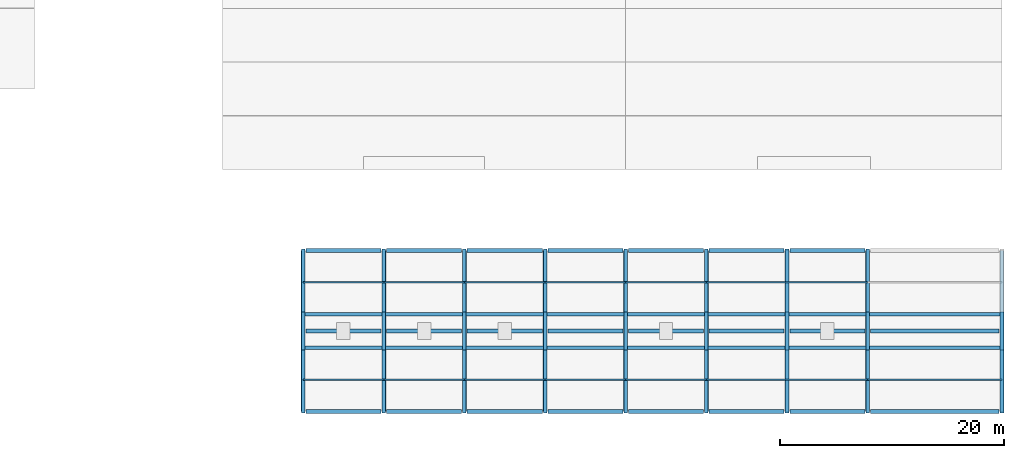
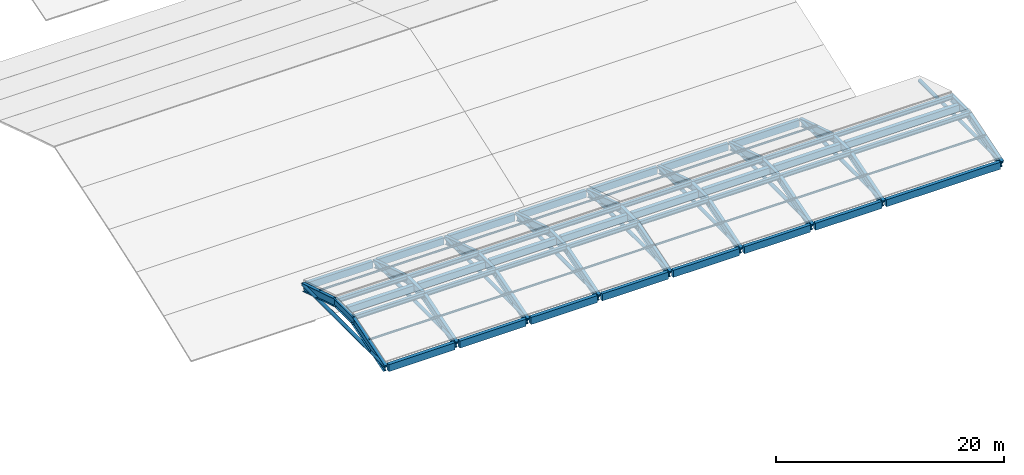
# One storey, part 1 of 7: 65 beams, 24 members.
"""IFC4 building model written with IfcOpenShell, lengths in metres."""

from ifc_helpers import new_model, si_unit, direction, frame, origin, origin_2d, place, context, subcontext, project, spatial, rectangle, hollow_circle, i_section, extrude, material, material_profile, profile_set, type_object, element, save


model = new_model("IFC4")

# Units and contexts
model_context = context("Model", 3, precision=1e-05, world=origin(), true_north=direction((0.0, 1.0)))
body_context = subcontext(model_context, "Body", "Model", "MODEL_VIEW")
ifc_project = project(units=[si_unit("LENGTHUNIT", "METRE"), si_unit("AREAUNIT", "SQUARE_METRE"), si_unit("VOLUMEUNIT", "CUBIC_METRE"), si_unit("PLANEANGLEUNIT", "RADIAN"), si_unit("MASSUNIT", "GRAM", prefix="KILO")], contexts=[model_context])

# Site, building, storey
site_placement = place(None, origin())
site = spatial("IfcSite", under=ifc_project, at=site_placement, CompositionType="ELEMENT")
building_placement = place(site_placement, origin())
building = spatial("IfcBuilding", under=site, at=building_placement, Name="Cendralis Lancet Convention Centre", CompositionType="ELEMENT")
storey_placement = place(building_placement, frame((0.0, 0.0, 29.39990234375)))
storey = spatial("IfcBuildingStorey", under=building, at=storey_placement, Name="RF", CompositionType="ELEMENT", Elevation=29.39990234375)

# Beams
ifc_material_1 = material(Name="Concrete G35 (C35/45)", Category="concrete")
ifc_material_profile_1 = material_profile(ifc_material_1, rectangle(XDim=0.39990234375, YDim=0.699951171875, at=origin_2d()), Name="RCB 400x700")
ifc_profile_set_1 = profile_set([ifc_material_profile_1], Name="Concrete G35 (C35/45)")
beam_type_1 = type_object("IfcBeamType", Name="STR-BM-BG13", PredefinedType="BEAM", material=ifc_profile_set_1)
beam_1_placement = place(storey_placement, frame((146.64990234375, 28.800048828125, 0.530029296875), z_axis=(1.0, 0.0, 0.0), x_axis=(0.0, 1.0, 0.0)))
element("IfcBeam", 1, at=beam_1_placement, inside=storey, type_object=beam_type_1, Name="RF Beam BG13 #1834", PredefinedType="BEAM", context=body_context, shape_type="SweptSolid", body=[
    extrude(rectangle(XDim=0.39990234375, YDim=0.699951171875, at=origin_2d()), origin(), (0.0, 0.0, 1.0), 6.7001953125),
])
for number, where, z_axis, x_axis, name in (
    (2, (153.85009765625, 28.800048828125, 0.530029296875), (1.0, 0.0, 0.0), (0.0, 1.0, 0.0), "RF Beam BG13 #1837"),
    (3, (161.050048828125, 28.800048828125, 0.530029296875), (1.0, 0.0, 0.0), (0.0, 1.0, 0.0), "RF Beam BG13 #1840"),
    (4, (168.25, 28.800048828125, 0.530029296875), (1.0, 0.0, 0.0), (0.0, 1.0, 0.0), "RF Beam BG13 #1843"),
    (5, (175.449951171875, 28.800048828125, 0.530029296875), (1.0, 0.0, 0.0), (0.0, 1.0, 0.0), "RF Beam BG13 #1846"),
):
    element("IfcBeam", number, at=place(storey_placement, frame(where, z_axis=z_axis, x_axis=x_axis)), inside=storey, type_object=beam_type_1, Name=name, PredefinedType="BEAM", context=body_context, shape_type="SweptSolid", body=[
        extrude(rectangle(XDim=0.39990234375, YDim=0.699951171875, at=origin_2d()), origin(), (0.0, 0.0, 1.0), 6.699951171875),
    ])
beam_2_placement = place(storey_placement, frame((182.64990234375, 28.800048828125, 0.530029296875), z_axis=(1.0, 0.0, 0.0), x_axis=(0.0, 1.0, 0.0)))
element("IfcBeam", 6, at=beam_2_placement, inside=storey, type_object=beam_type_1, Name="RF Beam BG13 #1849", PredefinedType="BEAM", context=body_context, shape_type="SweptSolid", body=[
    extrude(rectangle(XDim=0.39990234375, YDim=0.699951171875, at=origin_2d()), origin(), (0.0, 0.0, 1.0), 6.7001953125),
])
beam_3_placement = place(storey_placement, frame((189.85009765625, 28.800048828125, 0.530029296875), z_axis=(1.0, 0.0, 0.0), x_axis=(0.0, 1.0, 0.0)))
element("IfcBeam", 7, at=beam_3_placement, inside=storey, type_object=beam_type_1, Name="RF Beam BG13 #1852", PredefinedType="BEAM", context=body_context, shape_type="SweptSolid", body=[
    extrude(rectangle(XDim=0.39990234375, YDim=0.699951171875, at=origin_2d()), origin(), (0.0, 0.0, 1.0), 6.699951171875),
])
beam_4_placement = place(storey_placement, frame((197.050048828125, 28.800048828125, 0.530029296875), z_axis=(1.0, 0.0, 0.0), x_axis=(0.0, 1.0, 0.0)))
element("IfcBeam", 8, at=beam_4_placement, inside=storey, type_object=beam_type_1, Name="RF Beam BG13 #1855", PredefinedType="BEAM", context=body_context, shape_type="SweptSolid", body=[
    extrude(rectangle(XDim=0.39990234375, YDim=0.699951171875, at=origin_2d()), origin(), (0.0, 0.0, 1.0), 11.5),
])
ifc_material_2 = material(Name="Steel S355", Category="steel")
ifc_material_profile_2 = material_profile(ifc_material_2, i_section(OverallWidth=0.320068359375, OverallDepth=0.800048828125, WebThickness=0.013916015625, FlangeThickness=0.02490234375, at=origin_2d()), Name="PG 800x320")
ifc_profile_set_2 = profile_set([ifc_material_profile_2], Name="Steel S355")
beam_type_2 = type_object("IfcBeamType", Name="STR-BM-SG06", PredefinedType="BEAM", material=ifc_profile_set_2)
beam_5_placement = place(storey_placement, frame((153.60009765625, 27.10009765625, 0.47998046875), z_axis=(0.0, 1.0, 0.0), x_axis=(-1.0, 0.0, 0.0)))
element("IfcBeam", 9, at=beam_5_placement, inside=storey, type_object=beam_type_2, Name="RF Beam SG06 #1859", PredefinedType="BEAM", context=body_context, shape_type="SweptSolid", body=[
    extrude(i_section(OverallWidth=0.320068359375, OverallDepth=0.800048828125, WebThickness=0.013916015625, FlangeThickness=0.02490234375, at=origin_2d()), origin(), (0.0, 0.0, 1.0), 3.39990234375),
])
for number, where, z_axis, x_axis, name in (
    (10, (153.60009765625, 21.60009765625, -1.2998046875), (0.0, 0.954549064573, 0.298053826219), (-1.0, 0.0, 0.0), "Cordillera Crown Gothic Rafter SG06 S-02"),
    (11, (153.60009765625, 30.300048828125, 0.47998046875), (0.0, 0.954549064573, -0.298053826219), (-1.0, 0.0, 0.0), "Cordillera Crown Gothic Rafter SG06 N-02"),
):
    element("IfcBeam", number, at=place(storey_placement, frame(where, z_axis=z_axis, x_axis=x_axis)), inside=storey, type_object=beam_type_2, Name=name, PredefinedType="BEAM", context=body_context, shape_type="SweptSolid", body=[
        extrude(i_section(OverallWidth=0.320068359375, OverallDepth=0.800048828125, WebThickness=0.013916015625, FlangeThickness=0.02490234375, at=origin_2d()), origin(), (0.0, 0.0, 1.0), 5.971435546875),
    ])
beam_6_placement = place(storey_placement, frame((160.800048828125, 27.10009765625, 0.47998046875), z_axis=(0.0, 1.0, 0.0), x_axis=(-1.0, 0.0, 0.0)))
element("IfcBeam", 12, at=beam_6_placement, inside=storey, type_object=beam_type_2, Name="RF Beam SG06 #1860", PredefinedType="BEAM", context=body_context, shape_type="SweptSolid", body=[
    extrude(i_section(OverallWidth=0.320068359375, OverallDepth=0.800048828125, WebThickness=0.013916015625, FlangeThickness=0.02490234375, at=origin_2d()), origin(), (0.0, 0.0, 1.0), 3.39990234375),
])
for number, where, z_axis, x_axis, name in (
    (13, (160.800048828125, 21.60009765625, -1.2998046875), (0.0, 0.954549064573, 0.298053826219), (-1.0, 0.0, 0.0), "Cordillera Crown Gothic Rafter SG06 S-03"),
    (14, (160.800048828125, 30.300048828125, 0.47998046875), (0.0, 0.954549064573, -0.298053826219), (-1.0, 0.0, 0.0), "Cordillera Crown Gothic Rafter SG06 N-03"),
):
    element("IfcBeam", number, at=place(storey_placement, frame(where, z_axis=z_axis, x_axis=x_axis)), inside=storey, type_object=beam_type_2, Name=name, PredefinedType="BEAM", context=body_context, shape_type="SweptSolid", body=[
        extrude(i_section(OverallWidth=0.320068359375, OverallDepth=0.800048828125, WebThickness=0.013916015625, FlangeThickness=0.02490234375, at=origin_2d()), origin(), (0.0, 0.0, 1.0), 5.971435546875),
    ])
beam_7_placement = place(storey_placement, frame((168.0, 27.10009765625, 0.47998046875), z_axis=(0.0, 1.0, 0.0), x_axis=(-1.0, 0.0, 0.0)))
element("IfcBeam", 15, at=beam_7_placement, inside=storey, type_object=beam_type_2, Name="RF Beam SG06 #1861", PredefinedType="BEAM", context=body_context, shape_type="SweptSolid", body=[
    extrude(i_section(OverallWidth=0.320068359375, OverallDepth=0.800048828125, WebThickness=0.013916015625, FlangeThickness=0.02490234375, at=origin_2d()), origin(), (0.0, 0.0, 1.0), 3.39990234375),
])
for number, where, z_axis, x_axis, name in (
    (16, (168.0, 21.60009765625, -1.2998046875), (0.0, 0.954549064573, 0.298053826219), (-1.0, 0.0, 0.0), "Cordillera Crown Gothic Rafter SG06 S-04"),
    (17, (168.0, 30.300048828125, 0.47998046875), (0.0, 0.954549064573, -0.298053826219), (-1.0, 0.0, 0.0), "Cordillera Crown Gothic Rafter SG06 N-04"),
):
    element("IfcBeam", number, at=place(storey_placement, frame(where, z_axis=z_axis, x_axis=x_axis)), inside=storey, type_object=beam_type_2, Name=name, PredefinedType="BEAM", context=body_context, shape_type="SweptSolid", body=[
        extrude(i_section(OverallWidth=0.320068359375, OverallDepth=0.800048828125, WebThickness=0.013916015625, FlangeThickness=0.02490234375, at=origin_2d()), origin(), (0.0, 0.0, 1.0), 5.971435546875),
    ])
beam_8_placement = place(storey_placement, frame((175.199951171875, 27.10009765625, 0.47998046875), z_axis=(0.0, 1.0, 0.0), x_axis=(-1.0, 0.0, 0.0)))
element("IfcBeam", 18, at=beam_8_placement, inside=storey, type_object=beam_type_2, Name="RF Beam SG06 #1862", PredefinedType="BEAM", context=body_context, shape_type="SweptSolid", body=[
    extrude(i_section(OverallWidth=0.320068359375, OverallDepth=0.800048828125, WebThickness=0.013916015625, FlangeThickness=0.02490234375, at=origin_2d()), origin(), (0.0, 0.0, 1.0), 3.39990234375),
])
for number, where, z_axis, x_axis, name in (
    (19, (175.199951171875, 21.60009765625, -1.2998046875), (0.0, 0.954549064573, 0.298053826219), (-1.0, 0.0, 0.0), "Cordillera Crown Gothic Rafter SG06 S-05"),
    (20, (175.199951171875, 30.300048828125, 0.47998046875), (0.0, 0.954549064573, -0.298053826219), (-1.0, 0.0, 0.0), "Cordillera Crown Gothic Rafter SG06 N-05"),
):
    element("IfcBeam", number, at=place(storey_placement, frame(where, z_axis=z_axis, x_axis=x_axis)), inside=storey, type_object=beam_type_2, Name=name, PredefinedType="BEAM", context=body_context, shape_type="SweptSolid", body=[
        extrude(i_section(OverallWidth=0.320068359375, OverallDepth=0.800048828125, WebThickness=0.013916015625, FlangeThickness=0.02490234375, at=origin_2d()), origin(), (0.0, 0.0, 1.0), 5.971435546875),
    ])
beam_9_placement = place(storey_placement, frame((182.39990234375, 27.10009765625, 0.47998046875), z_axis=(0.0, 1.0, 0.0), x_axis=(-1.0, 0.0, 0.0)))
element("IfcBeam", 21, at=beam_9_placement, inside=storey, type_object=beam_type_2, Name="RF Beam SG06 #1863", PredefinedType="BEAM", context=body_context, shape_type="SweptSolid", body=[
    extrude(i_section(OverallWidth=0.320068359375, OverallDepth=0.800048828125, WebThickness=0.013916015625, FlangeThickness=0.02490234375, at=origin_2d()), origin(), (0.0, 0.0, 1.0), 3.39990234375),
])
for number, where, z_axis, x_axis, name in (
    (22, (182.39990234375, 21.60009765625, -1.2998046875), (0.0, 0.954549064573, 0.298053826219), (-1.0, 0.0, 0.0), "Cordillera Crown Gothic Rafter SG06 S-06"),
    (23, (182.39990234375, 30.300048828125, 0.47998046875), (0.0, 0.954549064573, -0.298053826219), (-1.0, 0.0, 0.0), "Cordillera Crown Gothic Rafter SG06 N-06"),
):
    element("IfcBeam", number, at=place(storey_placement, frame(where, z_axis=z_axis, x_axis=x_axis)), inside=storey, type_object=beam_type_2, Name=name, PredefinedType="BEAM", context=body_context, shape_type="SweptSolid", body=[
        extrude(i_section(OverallWidth=0.320068359375, OverallDepth=0.800048828125, WebThickness=0.013916015625, FlangeThickness=0.02490234375, at=origin_2d()), origin(), (0.0, 0.0, 1.0), 5.971435546875),
    ])
beam_10_placement = place(storey_placement, frame((189.60009765625, 27.10009765625, 0.47998046875), z_axis=(0.0, 1.0, 0.0), x_axis=(-1.0, 0.0, 0.0)))
element("IfcBeam", 24, at=beam_10_placement, inside=storey, type_object=beam_type_2, Name="RF Beam SG06 #1864", PredefinedType="BEAM", context=body_context, shape_type="SweptSolid", body=[
    extrude(i_section(OverallWidth=0.320068359375, OverallDepth=0.800048828125, WebThickness=0.013916015625, FlangeThickness=0.02490234375, at=origin_2d()), origin(), (0.0, 0.0, 1.0), 3.39990234375),
])
for number, where, z_axis, x_axis, name in (
    (25, (189.60009765625, 21.60009765625, -1.2998046875), (0.0, 0.954549064573, 0.298053826219), (-1.0, 0.0, 0.0), "Cordillera Crown Gothic Rafter SG06 S-07"),
    (26, (189.60009765625, 30.300048828125, 0.47998046875), (0.0, 0.954549064573, -0.298053826219), (-1.0, 0.0, 0.0), "Cordillera Crown Gothic Rafter SG06 N-07"),
):
    element("IfcBeam", number, at=place(storey_placement, frame(where, z_axis=z_axis, x_axis=x_axis)), inside=storey, type_object=beam_type_2, Name=name, PredefinedType="BEAM", context=body_context, shape_type="SweptSolid", body=[
        extrude(i_section(OverallWidth=0.320068359375, OverallDepth=0.800048828125, WebThickness=0.013916015625, FlangeThickness=0.02490234375, at=origin_2d()), origin(), (0.0, 0.0, 1.0), 5.971435546875),
    ])
beam_11_placement = place(storey_placement, frame((196.800048828125, 27.10009765625, 0.47998046875), z_axis=(0.0, 1.0, 0.0), x_axis=(-1.0, 0.0, 0.0)))
element("IfcBeam", 27, at=beam_11_placement, inside=storey, type_object=beam_type_2, Name="RF Beam SG06 #1865", PredefinedType="BEAM", context=body_context, shape_type="SweptSolid", body=[
    extrude(i_section(OverallWidth=0.320068359375, OverallDepth=0.800048828125, WebThickness=0.013916015625, FlangeThickness=0.02490234375, at=origin_2d()), origin(), (0.0, 0.0, 1.0), 3.39990234375),
])
for number, where, z_axis, x_axis, name in (
    (28, (196.800048828125, 21.60009765625, -1.2998046875), (0.0, 0.954549064573, 0.298053826219), (-1.0, 0.0, 0.0), "Cordillera Crown Gothic Rafter SG06 S-08"),
    (29, (196.800048828125, 30.300048828125, 0.47998046875), (0.0, 0.954549064573, -0.298053826219), (-1.0, 0.0, 0.0), "Cordillera Crown Gothic Rafter SG06 N-08"),
):
    element("IfcBeam", number, at=place(storey_placement, frame(where, z_axis=z_axis, x_axis=x_axis)), inside=storey, type_object=beam_type_2, Name=name, PredefinedType="BEAM", context=body_context, shape_type="SweptSolid", body=[
        extrude(i_section(OverallWidth=0.320068359375, OverallDepth=0.800048828125, WebThickness=0.013916015625, FlangeThickness=0.02490234375, at=origin_2d()), origin(), (0.0, 0.0, 1.0), 5.971435546875),
    ])
ifc_material_profile_3 = material_profile(ifc_material_2, i_section(OverallWidth=0.320068359375, OverallDepth=0.800048828125, WebThickness=0.013916015625, FlangeThickness=0.02490234375, at=origin_2d()), Name="PG 800x320")
ifc_profile_set_3 = profile_set([ifc_material_profile_3], Name="Steel S355")
beam_type_3 = type_object("IfcBeamType", Name="STR-BM-SG06-EXT", PredefinedType="BEAM", material=ifc_profile_set_3)
beam_12_placement = place(storey_placement, frame((146.39990234375, 27.10009765625, 0.47998046875), z_axis=(0.0, 1.0, 0.0), x_axis=(-1.0, 0.0, 0.0)))
element("IfcBeam", 30, at=beam_12_placement, inside=storey, type_object=beam_type_3, Name="RF Beam SG06 #1858", PredefinedType="BEAM", context=body_context, shape_type="SweptSolid", body=[
    extrude(i_section(OverallWidth=0.320068359375, OverallDepth=0.800048828125, WebThickness=0.013916015625, FlangeThickness=0.02490234375, at=origin_2d()), origin(), (0.0, 0.0, 1.0), 3.39990234375),
])
for number, where, z_axis, x_axis, name in (
    (31, (146.39990234375, 21.60009765625, -1.2998046875), (0.0, 0.954549064573, 0.298053826219), (-1.0, 0.0, 0.0), "Cordillera Crown Gothic Rafter SG06 S-01"),
    (32, (146.39990234375, 30.300048828125, 0.47998046875), (0.0, 0.954549064573, -0.298053826219), (-1.0, 0.0, 0.0), "Cordillera Crown Gothic Rafter SG06 N-01"),
):
    element("IfcBeam", number, at=place(storey_placement, frame(where, z_axis=z_axis, x_axis=x_axis)), inside=storey, type_object=beam_type_3, Name=name, PredefinedType="BEAM", context=body_context, shape_type="SweptSolid", body=[
        extrude(i_section(OverallWidth=0.320068359375, OverallDepth=0.800048828125, WebThickness=0.013916015625, FlangeThickness=0.02490234375, at=origin_2d()), origin(), (0.0, 0.0, 1.0), 5.971435546875),
    ])
beam_13_placement = place(storey_placement, frame((208.800048828125, 27.10009765625, 0.47998046875), z_axis=(0.0, 1.0, 0.0), x_axis=(-1.0, 0.0, 0.0)))
element("IfcBeam", 33, at=beam_13_placement, inside=storey, type_object=beam_type_3, Name="RF Beam SG06 #1866", PredefinedType="BEAM", context=body_context, shape_type="SweptSolid", body=[
    extrude(i_section(OverallWidth=0.320068359375, OverallDepth=0.800048828125, WebThickness=0.013916015625, FlangeThickness=0.02490234375, at=origin_2d()), origin(), (0.0, 0.0, 1.0), 3.39990234375),
])
beam_14_placement = place(storey_placement, frame((208.800048828125, 21.60009765625, -1.2998046875), z_axis=(0.0, 0.954549064573, 0.298053826219), x_axis=(-1.0, 0.0, 0.0)))
element("IfcBeam", 34, at=beam_14_placement, inside=storey, type_object=beam_type_3, Name="Cordillera Crown Gothic Rafter SG06 S-09", PredefinedType="BEAM", context=body_context, shape_type="SweptSolid", body=[
    extrude(i_section(OverallWidth=0.320068359375, OverallDepth=0.800048828125, WebThickness=0.013916015625, FlangeThickness=0.02490234375, at=origin_2d()), origin(), (0.0, 0.0, 1.0), 5.971435546875),
])
ifc_material_profile_4 = material_profile(ifc_material_2, i_section(OverallWidth=0.300048828125, OverallDepth=0.43994140625, WebThickness=0.011474609375, FlangeThickness=0.02099609375, FilletRadius=0.027099609375, at=origin_2d()), Name="HEA 450")
ifc_profile_set_4 = profile_set([ifc_material_profile_4], Name="Steel S355")
beam_type_4 = type_object("IfcBeamType", Name="STR-BM-SG13", PredefinedType="BEAM", material=ifc_profile_set_4)
for number, where, z_axis, x_axis, name in (
    (35, (146.39990234375, 27.300048828125, 0.66015625), (1.0, 0.0, 0.0), (0.0, 1.0, 0.0), "RF Beam SG13 #1835"),
    (36, (146.39990234375, 30.300048828125, 0.66015625), (1.0, 0.0, 0.0), (0.0, 1.0, 0.0), "RF Beam SG13 #1836"),
):
    element("IfcBeam", number, at=place(storey_placement, frame(where, z_axis=z_axis, x_axis=x_axis)), inside=storey, type_object=beam_type_4, Name=name, PredefinedType="BEAM", context=body_context, shape_type="SweptSolid", body=[
        extrude(i_section(OverallWidth=0.300048828125, OverallDepth=0.43994140625, WebThickness=0.011474609375, FlangeThickness=0.02099609375, FilletRadius=0.027099609375, at=origin_2d()), origin(), (0.0, 0.0, 1.0), 7.2001953125),
    ])
for number, where, z_axis, x_axis, name in (
    (37, (153.60009765625, 27.300048828125, 0.66015625), (1.0, 0.0, 0.0), (0.0, 1.0, 0.0), "RF Beam SG13 #1838"),
    (38, (153.60009765625, 30.300048828125, 0.66015625), (1.0, 0.0, 0.0), (0.0, 1.0, 0.0), "RF Beam SG13 #1839"),
    (39, (160.800048828125, 27.300048828125, 0.66015625), (1.0, 0.0, 0.0), (0.0, 1.0, 0.0), "RF Beam SG13 #1841"),
    (40, (160.800048828125, 30.300048828125, 0.66015625), (1.0, 0.0, 0.0), (0.0, 1.0, 0.0), "RF Beam SG13 #1842"),
    (41, (168.0, 27.300048828125, 0.66015625), (1.0, 0.0, 0.0), (0.0, 1.0, 0.0), "RF Beam SG13 #1844"),
    (42, (168.0, 30.300048828125, 0.66015625), (1.0, 0.0, 0.0), (0.0, 1.0, 0.0), "RF Beam SG13 #1845"),
    (43, (175.199951171875, 27.300048828125, 0.66015625), (1.0, 0.0, 0.0), (0.0, 1.0, 0.0), "RF Beam SG13 #1847"),
    (44, (175.199951171875, 30.300048828125, 0.66015625), (1.0, 0.0, 0.0), (0.0, 1.0, 0.0), "RF Beam SG13 #1848"),
):
    element("IfcBeam", number, at=place(storey_placement, frame(where, z_axis=z_axis, x_axis=x_axis)), inside=storey, type_object=beam_type_4, Name=name, PredefinedType="BEAM", context=body_context, shape_type="SweptSolid", body=[
        extrude(i_section(OverallWidth=0.300048828125, OverallDepth=0.43994140625, WebThickness=0.011474609375, FlangeThickness=0.02099609375, FilletRadius=0.027099609375, at=origin_2d()), origin(), (0.0, 0.0, 1.0), 7.199951171875),
    ])
for number, where, z_axis, x_axis, name in (
    (45, (182.39990234375, 27.300048828125, 0.66015625), (1.0, 0.0, 0.0), (0.0, 1.0, 0.0), "RF Beam SG13 #1850"),
    (46, (182.39990234375, 30.300048828125, 0.66015625), (1.0, 0.0, 0.0), (0.0, 1.0, 0.0), "RF Beam SG13 #1851"),
):
    element("IfcBeam", number, at=place(storey_placement, frame(where, z_axis=z_axis, x_axis=x_axis)), inside=storey, type_object=beam_type_4, Name=name, PredefinedType="BEAM", context=body_context, shape_type="SweptSolid", body=[
        extrude(i_section(OverallWidth=0.300048828125, OverallDepth=0.43994140625, WebThickness=0.011474609375, FlangeThickness=0.02099609375, FilletRadius=0.027099609375, at=origin_2d()), origin(), (0.0, 0.0, 1.0), 7.2001953125),
    ])
for number, where, z_axis, x_axis, name in (
    (47, (189.60009765625, 27.300048828125, 0.66015625), (1.0, 0.0, 0.0), (0.0, 1.0, 0.0), "RF Beam SG13 #1853"),
    (48, (189.60009765625, 30.300048828125, 0.66015625), (1.0, 0.0, 0.0), (0.0, 1.0, 0.0), "RF Beam SG13 #1854"),
):
    element("IfcBeam", number, at=place(storey_placement, frame(where, z_axis=z_axis, x_axis=x_axis)), inside=storey, type_object=beam_type_4, Name=name, PredefinedType="BEAM", context=body_context, shape_type="SweptSolid", body=[
        extrude(i_section(OverallWidth=0.300048828125, OverallDepth=0.43994140625, WebThickness=0.011474609375, FlangeThickness=0.02099609375, FilletRadius=0.027099609375, at=origin_2d()), origin(), (0.0, 0.0, 1.0), 7.199951171875),
    ])
for number, where, z_axis, x_axis, name in (
    (49, (196.800048828125, 27.300048828125, 0.66015625), (1.0, 0.0, 0.0), (0.0, 1.0, 0.0), "RF Beam SG13 #1856"),
    (50, (196.800048828125, 30.300048828125, 0.66015625), (1.0, 0.0, 0.0), (0.0, 1.0, 0.0), "RF Beam SG13 #1857"),
):
    element("IfcBeam", number, at=place(storey_placement, frame(where, z_axis=z_axis, x_axis=x_axis)), inside=storey, type_object=beam_type_4, Name=name, PredefinedType="BEAM", context=body_context, shape_type="SweptSolid", body=[
        extrude(i_section(OverallWidth=0.300048828125, OverallDepth=0.43994140625, WebThickness=0.011474609375, FlangeThickness=0.02099609375, FilletRadius=0.027099609375, at=origin_2d()), origin(), (0.0, 0.0, 1.0), 12.0),
    ])

# Members
ifc_material_profile_5 = material_profile(ifc_material_2, i_section(OverallWidth=0.10009765625, OverallDepth=0.199951171875, WebThickness=0.005615234375, FlangeThickness=0.008544921875, FilletRadius=0.011962890625, at=origin_2d()), Name="IPE 200")
ifc_profile_set_5 = profile_set([ifc_material_profile_5], Name="Steel S355")
member_type_1 = type_object("IfcMemberType", Name="STR-PR-PR05", PredefinedType="PURLIN", material=ifc_profile_set_5)
for number, where, z_axis, x_axis, name in (
    (51, (146.39990234375, 24.449951171875, 0.050048828125), (1.0, 0.0, 0.0), (0.0, 1.0, 0.0), "Cordillera Crown Roof Purlin PR05 146-24.4"),
    (52, (146.39990234375, 33.14990234375, 0.050048828125), (1.0, 0.0, 0.0), (0.0, 1.0, 0.0), "Cordillera Crown Roof Purlin PR05 146-33.1"),
):
    element("IfcMember", number, at=place(storey_placement, frame(where, z_axis=z_axis, x_axis=x_axis)), inside=storey, type_object=member_type_1, Name=name, PredefinedType="PURLIN", context=body_context, shape_type="SweptSolid", body=[
        extrude(i_section(OverallWidth=0.10009765625, OverallDepth=0.199951171875, WebThickness=0.005615234375, FlangeThickness=0.008544921875, FilletRadius=0.011962890625, at=origin_2d()), origin(), (0.0, 0.0, 1.0), 7.2001953125),
    ])
for number, where, z_axis, x_axis, name in (
    (53, (153.60009765625, 24.449951171875, 0.050048828125), (1.0, 0.0, 0.0), (0.0, 1.0, 0.0), "Cordillera Crown Roof Purlin PR05 154-24.4"),
    (54, (153.60009765625, 33.14990234375, 0.050048828125), (1.0, 0.0, 0.0), (0.0, 1.0, 0.0), "Cordillera Crown Roof Purlin PR05 154-33.1"),
    (55, (160.800048828125, 24.449951171875, 0.050048828125), (1.0, 0.0, 0.0), (0.0, 1.0, 0.0), "Cordillera Crown Roof Purlin PR05 161-24.4"),
    (56, (160.800048828125, 33.14990234375, 0.050048828125), (1.0, 0.0, 0.0), (0.0, 1.0, 0.0), "Cordillera Crown Roof Purlin PR05 161-33.1"),
    (57, (168.0, 24.449951171875, 0.050048828125), (1.0, 0.0, 0.0), (0.0, 1.0, 0.0), "Cordillera Crown Roof Purlin PR05 168-24.4"),
    (58, (168.0, 33.14990234375, 0.050048828125), (1.0, 0.0, 0.0), (0.0, 1.0, 0.0), "Cordillera Crown Roof Purlin PR05 168-33.1"),
    (59, (175.199951171875, 24.449951171875, 0.050048828125), (1.0, 0.0, 0.0), (0.0, 1.0, 0.0), "Cordillera Crown Roof Purlin PR05 175-24.4"),
    (60, (175.199951171875, 33.14990234375, 0.050048828125), (1.0, 0.0, 0.0), (0.0, 1.0, 0.0), "Cordillera Crown Roof Purlin PR05 175-33.1"),
):
    element("IfcMember", number, at=place(storey_placement, frame(where, z_axis=z_axis, x_axis=x_axis)), inside=storey, type_object=member_type_1, Name=name, PredefinedType="PURLIN", context=body_context, shape_type="SweptSolid", body=[
        extrude(i_section(OverallWidth=0.10009765625, OverallDepth=0.199951171875, WebThickness=0.005615234375, FlangeThickness=0.008544921875, FilletRadius=0.011962890625, at=origin_2d()), origin(), (0.0, 0.0, 1.0), 7.199951171875),
    ])
for number, where, z_axis, x_axis, name in (
    (61, (182.39990234375, 24.449951171875, 0.050048828125), (1.0, 0.0, 0.0), (0.0, 1.0, 0.0), "Cordillera Crown Roof Purlin PR05 182-24.4"),
    (62, (182.39990234375, 33.14990234375, 0.050048828125), (1.0, 0.0, 0.0), (0.0, 1.0, 0.0), "Cordillera Crown Roof Purlin PR05 182-33.1"),
):
    element("IfcMember", number, at=place(storey_placement, frame(where, z_axis=z_axis, x_axis=x_axis)), inside=storey, type_object=member_type_1, Name=name, PredefinedType="PURLIN", context=body_context, shape_type="SweptSolid", body=[
        extrude(i_section(OverallWidth=0.10009765625, OverallDepth=0.199951171875, WebThickness=0.005615234375, FlangeThickness=0.008544921875, FilletRadius=0.011962890625, at=origin_2d()), origin(), (0.0, 0.0, 1.0), 7.2001953125),
    ])
for number, where, z_axis, x_axis, name in (
    (63, (189.60009765625, 24.449951171875, 0.050048828125), (1.0, 0.0, 0.0), (0.0, 1.0, 0.0), "Cordillera Crown Roof Purlin PR05 190-24.4"),
    (64, (189.60009765625, 33.14990234375, 0.050048828125), (1.0, 0.0, 0.0), (0.0, 1.0, 0.0), "Cordillera Crown Roof Purlin PR05 190-33.1"),
):
    element("IfcMember", number, at=place(storey_placement, frame(where, z_axis=z_axis, x_axis=x_axis)), inside=storey, type_object=member_type_1, Name=name, PredefinedType="PURLIN", context=body_context, shape_type="SweptSolid", body=[
        extrude(i_section(OverallWidth=0.10009765625, OverallDepth=0.199951171875, WebThickness=0.005615234375, FlangeThickness=0.008544921875, FilletRadius=0.011962890625, at=origin_2d()), origin(), (0.0, 0.0, 1.0), 7.199951171875),
    ])
member_placement = place(storey_placement, frame((196.800048828125, 24.449951171875, 0.050048828125), z_axis=(1.0, 0.0, 0.0), x_axis=(0.0, 1.0, 0.0)))
element("IfcMember", 65, at=member_placement, inside=storey, type_object=member_type_1, Name="Cordillera Crown Roof Purlin PR05 197-24.4", PredefinedType="PURLIN", context=body_context, shape_type="SweptSolid", body=[
    extrude(i_section(OverallWidth=0.10009765625, OverallDepth=0.199951171875, WebThickness=0.005615234375, FlangeThickness=0.008544921875, FilletRadius=0.011962890625, at=origin_2d()), origin(), (0.0, 0.0, 1.0), 12.0),
])

# Beams
ifc_material_3 = material(Name="Concrete G40 (C40/50)", Category="concrete")
ifc_material_profile_6 = material_profile(ifc_material_3, rectangle(XDim=0.35009765625, YDim=0.75, at=origin_2d()), Name="RCB 350x750")
ifc_profile_set_6 = profile_set([ifc_material_profile_6], Name="Concrete G40 (C40/50)")
beam_type_5 = type_object("IfcBeamType", Name="STR-SP-SP01", PredefinedType="SPANDREL", material=ifc_profile_set_6)
beam_15_placement = place(storey_placement, frame((146.64990234375, 21.60009765625, -1.27490234375), z_axis=(1.0, 0.0, 0.0), x_axis=(0.0, 1.0, 0.0)))
element("IfcBeam", 66, at=beam_15_placement, inside=storey, type_object=beam_type_5, Name="RF Beam SP01 #1818", PredefinedType="SPANDREL", context=body_context, shape_type="SweptSolid", body=[
    extrude(rectangle(XDim=0.35009765625, YDim=0.75, at=origin_2d()), origin(), (0.0, 0.0, 1.0), 6.7001953125),
])
for number, where, z_axis, x_axis, name in (
    (67, (153.85009765625, 21.60009765625, -1.27490234375), (1.0, 0.0, 0.0), (0.0, 1.0, 0.0), "RF Beam SP01 #1819"),
    (68, (161.050048828125, 21.60009765625, -1.27490234375), (1.0, 0.0, 0.0), (0.0, 1.0, 0.0), "RF Beam SP01 #1820"),
    (69, (168.25, 21.60009765625, -1.27490234375), (1.0, 0.0, 0.0), (0.0, 1.0, 0.0), "RF Beam SP01 #1821"),
    (70, (175.449951171875, 21.60009765625, -1.27490234375), (1.0, 0.0, 0.0), (0.0, 1.0, 0.0), "RF Beam SP01 #1822"),
):
    element("IfcBeam", number, at=place(storey_placement, frame(where, z_axis=z_axis, x_axis=x_axis)), inside=storey, type_object=beam_type_5, Name=name, PredefinedType="SPANDREL", context=body_context, shape_type="SweptSolid", body=[
        extrude(rectangle(XDim=0.35009765625, YDim=0.75, at=origin_2d()), origin(), (0.0, 0.0, 1.0), 6.699951171875),
    ])
beam_16_placement = place(storey_placement, frame((182.64990234375, 21.60009765625, -1.27490234375), z_axis=(1.0, 0.0, 0.0), x_axis=(0.0, 1.0, 0.0)))
element("IfcBeam", 71, at=beam_16_placement, inside=storey, type_object=beam_type_5, Name="RF Beam SP01 #1823", PredefinedType="SPANDREL", context=body_context, shape_type="SweptSolid", body=[
    extrude(rectangle(XDim=0.35009765625, YDim=0.75, at=origin_2d()), origin(), (0.0, 0.0, 1.0), 6.7001953125),
])
beam_17_placement = place(storey_placement, frame((189.85009765625, 21.60009765625, -1.27490234375), z_axis=(1.0, 0.0, 0.0), x_axis=(0.0, 1.0, 0.0)))
element("IfcBeam", 72, at=beam_17_placement, inside=storey, type_object=beam_type_5, Name="RF Beam SP01 #1824", PredefinedType="SPANDREL", context=body_context, shape_type="SweptSolid", body=[
    extrude(rectangle(XDim=0.35009765625, YDim=0.75, at=origin_2d()), origin(), (0.0, 0.0, 1.0), 6.699951171875),
])
beam_18_placement = place(storey_placement, frame((197.050048828125, 21.60009765625, -1.27490234375), z_axis=(1.0, 0.0, 0.0), x_axis=(0.0, 1.0, 0.0)))
element("IfcBeam", 73, at=beam_18_placement, inside=storey, type_object=beam_type_5, Name="RF Beam SP01 #1825", PredefinedType="SPANDREL", context=body_context, shape_type="SweptSolid", body=[
    extrude(rectangle(XDim=0.35009765625, YDim=0.75, at=origin_2d()), origin(), (0.0, 0.0, 1.0), 11.5),
])
beam_19_placement = place(storey_placement, frame((146.64990234375, 36.0, -1.27490234375), z_axis=(1.0, 0.0, 0.0), x_axis=(0.0, 1.0, 0.0)))
element("IfcBeam", 74, at=beam_19_placement, inside=storey, type_object=beam_type_5, Name="RF Beam SP01 #1826", PredefinedType="SPANDREL", context=body_context, shape_type="SweptSolid", body=[
    extrude(rectangle(XDim=0.35009765625, YDim=0.75, at=origin_2d()), origin(), (0.0, 0.0, 1.0), 6.7001953125),
])
for number, where, z_axis, x_axis, name in (
    (75, (153.85009765625, 36.0, -1.27490234375), (1.0, 0.0, 0.0), (0.0, 1.0, 0.0), "RF Beam SP01 #1827"),
    (76, (161.050048828125, 36.0, -1.27490234375), (1.0, 0.0, 0.0), (0.0, 1.0, 0.0), "RF Beam SP01 #1828"),
    (77, (168.25, 36.0, -1.27490234375), (1.0, 0.0, 0.0), (0.0, 1.0, 0.0), "RF Beam SP01 #1829"),
    (78, (175.449951171875, 36.0, -1.27490234375), (1.0, 0.0, 0.0), (0.0, 1.0, 0.0), "RF Beam SP01 #1830"),
):
    element("IfcBeam", number, at=place(storey_placement, frame(where, z_axis=z_axis, x_axis=x_axis)), inside=storey, type_object=beam_type_5, Name=name, PredefinedType="SPANDREL", context=body_context, shape_type="SweptSolid", body=[
        extrude(rectangle(XDim=0.35009765625, YDim=0.75, at=origin_2d()), origin(), (0.0, 0.0, 1.0), 6.699951171875),
    ])
beam_20_placement = place(storey_placement, frame((182.64990234375, 36.0, -1.27490234375), z_axis=(1.0, 0.0, 0.0), x_axis=(0.0, 1.0, 0.0)))
element("IfcBeam", 79, at=beam_20_placement, inside=storey, type_object=beam_type_5, Name="RF Beam SP01 #1831", PredefinedType="SPANDREL", context=body_context, shape_type="SweptSolid", body=[
    extrude(rectangle(XDim=0.35009765625, YDim=0.75, at=origin_2d()), origin(), (0.0, 0.0, 1.0), 6.7001953125),
])
beam_21_placement = place(storey_placement, frame((189.85009765625, 36.0, -1.27490234375), z_axis=(1.0, 0.0, 0.0), x_axis=(0.0, 1.0, 0.0)))
element("IfcBeam", 80, at=beam_21_placement, inside=storey, type_object=beam_type_5, Name="RF Beam SP01 #1832", PredefinedType="SPANDREL", context=body_context, shape_type="SweptSolid", body=[
    extrude(rectangle(XDim=0.35009765625, YDim=0.75, at=origin_2d()), origin(), (0.0, 0.0, 1.0), 6.699951171875),
])

# Members
ifc_material_profile_7 = material_profile(ifc_material_2, hollow_circle(Radius=0.177734375, WallThickness=0.01611328125, at=origin_2d()), Name="CHS 355.6x16.0")
ifc_profile_set_7 = profile_set([ifc_material_profile_7], Name="Steel S355")
member_type_2 = type_object("IfcMemberType", Name="STR-TR-TC02", PredefinedType="CHORD", material=ifc_profile_set_7)
for number, where, z_axis, x_axis, name in (
    (81, (146.39990234375, 21.60009765625, -1.059814453125), (0.0, 1.0, 0.0), (-1.0, 0.0, 0.0), "Cordillera Crown Tie Chord TC02 #01"),
    (82, (208.800048828125, 21.60009765625, -1.059814453125), (0.0, 1.0, 0.0), (-1.0, 0.0, 0.0), "Cordillera Crown Tie Chord TC02 #09"),
):
    element("IfcMember", number, at=place(storey_placement, frame(where, z_axis=z_axis, x_axis=x_axis)), inside=storey, type_object=member_type_2, Name=name, PredefinedType="CHORD", context=body_context, shape_type="SweptSolid", body=[
        extrude(hollow_circle(Radius=0.177734375, WallThickness=0.01611328125, at=origin_2d()), origin(), (0.0, 0.0, 1.0), 14.39990234375),
    ])
ifc_material_profile_8 = material_profile(ifc_material_2, hollow_circle(Radius=0.177734375, WallThickness=0.01611328125, at=origin_2d()), Name="CHS 355.6x16.0")
ifc_profile_set_8 = profile_set([ifc_material_profile_8], Name="Steel S355")
member_type_3 = type_object("IfcMemberType", Name="STR-TR-TC02-INT", PredefinedType="CHORD", material=ifc_profile_set_8)
for number, where, z_axis, x_axis, name in (
    (83, (153.60009765625, 21.60009765625, -1.059814453125), (0.0, 1.0, 0.0), (-1.0, 0.0, 0.0), "Cordillera Crown Tie Chord TC02 #02"),
    (84, (160.800048828125, 21.60009765625, -1.059814453125), (0.0, 1.0, 0.0), (-1.0, 0.0, 0.0), "Cordillera Crown Tie Chord TC02 #03"),
    (85, (168.0, 21.60009765625, -1.059814453125), (0.0, 1.0, 0.0), (-1.0, 0.0, 0.0), "Cordillera Crown Tie Chord TC02 #04"),
    (86, (175.199951171875, 21.60009765625, -1.059814453125), (0.0, 1.0, 0.0), (-1.0, 0.0, 0.0), "Cordillera Crown Tie Chord TC02 #05"),
    (87, (182.39990234375, 21.60009765625, -1.059814453125), (0.0, 1.0, 0.0), (-1.0, 0.0, 0.0), "Cordillera Crown Tie Chord TC02 #06"),
    (88, (189.60009765625, 21.60009765625, -1.059814453125), (0.0, 1.0, 0.0), (-1.0, 0.0, 0.0), "Cordillera Crown Tie Chord TC02 #07"),
    (89, (196.800048828125, 21.60009765625, -1.059814453125), (0.0, 1.0, 0.0), (-1.0, 0.0, 0.0), "Cordillera Crown Tie Chord TC02 #08"),
):
    element("IfcMember", number, at=place(storey_placement, frame(where, z_axis=z_axis, x_axis=x_axis)), inside=storey, type_object=member_type_3, Name=name, PredefinedType="CHORD", context=body_context, shape_type="SweptSolid", body=[
        extrude(hollow_circle(Radius=0.177734375, WallThickness=0.01611328125, at=origin_2d()), origin(), (0.0, 0.0, 1.0), 14.39990234375),
    ])

save(model, "model.ifc")
